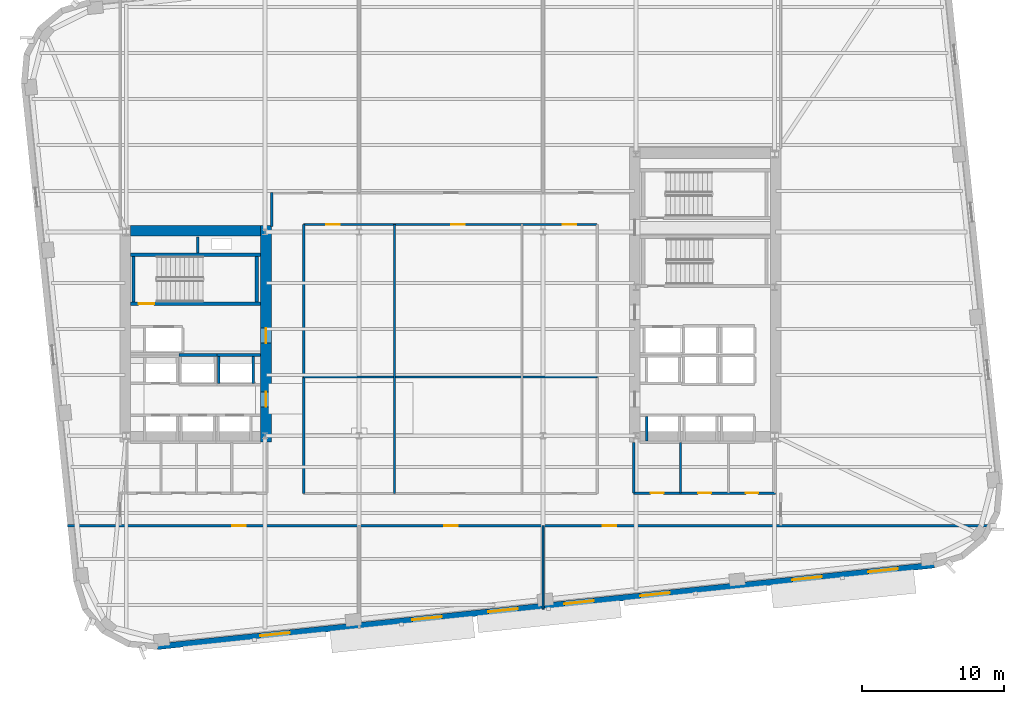
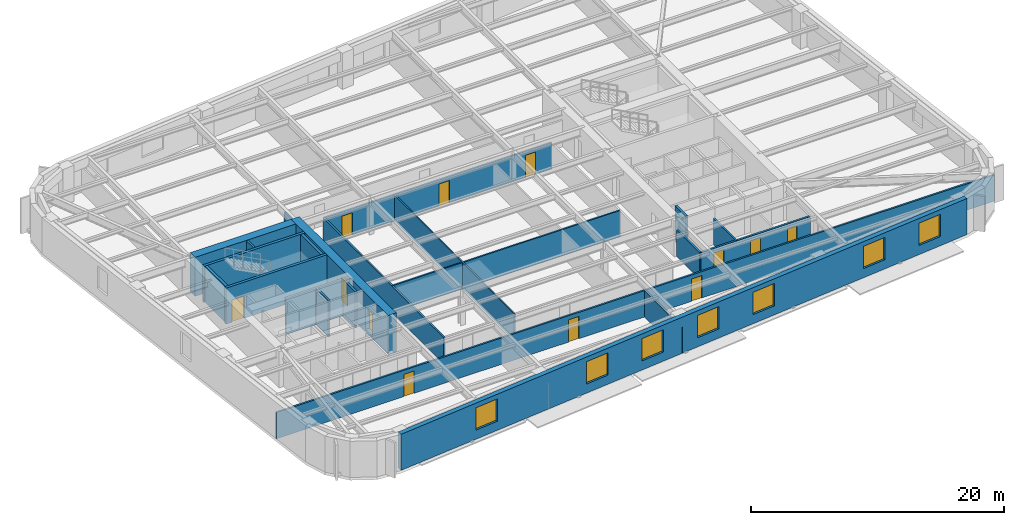
# One storey, part 5 of 14: 23 walls, 12 doors, 7 windows, 19 openings.
"""IFC4 building model written with IfcOpenShell, lengths in metres."""

from ifc_helpers import new_model, si_unit, direction, frame, frame_2d, origin, place, context, subcontext, project, spatial, rectangle, extrude, material, layer, layer_set, type_object, element, fill, save


model = new_model("IFC4")

# Units and contexts
model_context = context("Model", 3, precision=1e-05, world=origin(), true_north=direction((0.0, 1.0)))
body_context = subcontext(model_context, "Body", "Model", "MODEL_VIEW")
ifc_project = project(units=[si_unit("LENGTHUNIT", "METRE"), si_unit("AREAUNIT", "SQUARE_METRE"), si_unit("VOLUMEUNIT", "CUBIC_METRE"), si_unit("PLANEANGLEUNIT", "RADIAN"), si_unit("MASSUNIT", "GRAM", prefix="KILO")], contexts=[model_context])

# Site, building, storey
site_placement = place(None, origin())
site = spatial("IfcSite", under=ifc_project, at=site_placement, CompositionType="ELEMENT")
building_placement = place(site_placement, origin())
building = spatial("IfcBuilding", under=site, at=building_placement, Name="Kolvaren Arena Tower", CompositionType="ELEMENT")
storey_placement = place(building_placement, frame((0.0, 0.0, 130.75)))
storey = spatial("IfcBuildingStorey", under=building, at=storey_placement, Name="L30", CompositionType="ELEMENT", Elevation=130.75)

# Wall, openings, doors
ifc_material_1 = material(Name="Gypsum board acoustic assembly", Category="gypsum")
ifc_layer_1 = layer(ifc_material_1, 0.159912109375)
ifc_layer_set_1 = layer_set([ifc_layer_1], Name="Gypsum board acoustic assembly")
wall_type_1 = type_object("IfcWallType", Name="CORR-160", PredefinedType="PARTITIONING", material=ifc_layer_set_1)
wall_1_placement = place(storey_placement, frame((10.41552734375, 13.10009765625, 0.0), z_axis=(0.0, 0.0, 1.0), x_axis=(1.0, 0.0, 0.0)))
wall_1 = element("IfcWall", 1, at=wall_1_placement, inside=storey, type_object=wall_type_1, Name="Interior Partition Wall (L30)", PredefinedType="PARTITIONING", context=body_context, shape_type="SweptSolid", body=[
    extrude(rectangle(XDim=65.414794921875, YDim=0.159912109375, at=frame_2d((32.70751953125, 0.0))), origin(), (0.0, 0.0, 1.0), 2.5400390625),
])
opening_1_placement = place(wall_1_placement, frame((11.609619140625, 0.0, 0.0)))
opening_1 = element("IfcOpeningElement", 2, at=opening_1_placement, cuts=wall_1, Name="Opening D05", PredefinedType="OPENING", context=body_context, shape_type="SweptSolid", body=[
    extrude(rectangle(XDim=0.949951171875, YDim=2.14990234375, at=frame_2d((0.47509765625, 1.074951171875))), frame((0.0, 0.08984375, 0.0), z_axis=(0.0, -1.0, 0.0), x_axis=(1.0, 0.0, 0.0)), (0.0, 0.0, 1.0), 0.179931640625),
])
opening_2_placement = place(wall_1_placement, frame((26.609619140625, 0.0, 0.0)))
opening_2 = element("IfcOpeningElement", 3, at=opening_2_placement, cuts=wall_1, Name="Opening D05", PredefinedType="OPENING", context=body_context, shape_type="SweptSolid", body=[
    extrude(rectangle(XDim=0.949951171875, YDim=2.14990234375, at=frame_2d((0.47509765625, 1.074951171875))), frame((0.0, 0.08984375, 0.0), z_axis=(0.0, -1.0, 0.0), x_axis=(1.0, 0.0, 0.0)), (0.0, 0.0, 1.0), 0.179931640625),
])
opening_3_placement = place(wall_1_placement, frame((37.8095703125, 0.0, 0.0)))
opening_3 = element("IfcOpeningElement", 4, at=opening_3_placement, cuts=wall_1, Name="Opening D05", PredefinedType="OPENING", context=body_context, shape_type="SweptSolid", body=[
    extrude(rectangle(XDim=0.949951171875, YDim=2.14990234375, at=frame_2d((0.47509765625, 1.074951171875))), frame((0.0, 0.08984375, 0.0), z_axis=(0.0, -1.0, 0.0), x_axis=(1.0, 0.0, 0.0)), (0.0, 0.0, 1.0), 0.179931640625),
])
ifc_material_2 = material(Name="Solid-core oak acoustic office door", Category="wood")
door_type_1 = type_object("IfcDoorType", Name="DOOR-OF-095", OperationType="NOTDEFINED", PredefinedType="DOOR", material=ifc_material_2)
door_1_placement = place(opening_1_placement, origin())
door_1 = element("IfcDoor", 5, at=door_1_placement, inside=storey, type_object=door_type_1, Name="Executive Office Door (L30)", OperationType="SINGLE_SWING_RIGHT", OverallHeight=2.14990234375, OverallWidth=0.949951171875, PredefinedType="DOOR", context=body_context, shape_type="SweptSolid", body=[
    extrude(rectangle(XDim=0.949951171875, YDim=2.14990234375, at=frame_2d((0.47509765625, 1.074951171875))), frame((0.0, 0.02490234375, 0.0), z_axis=(0.0, -1.0, 0.0), x_axis=(1.0, 0.0, 0.0)), (0.0, 0.0, 1.0), 0.050048828125),
])
fill(opening_1, door_1)
door_2_placement = place(opening_2_placement, origin())
door_2 = element("IfcDoor", 6, at=door_2_placement, inside=storey, type_object=door_type_1, Name="Client Lounge Door (L30)", OperationType="SINGLE_SWING_LEFT", OverallHeight=2.14990234375, OverallWidth=0.949951171875, PredefinedType="DOOR", context=body_context, shape_type="SweptSolid", body=[
    extrude(rectangle(XDim=0.949951171875, YDim=2.14990234375, at=frame_2d((0.47509765625, 1.074951171875))), frame((0.0, 0.02490234375, 0.0), z_axis=(0.0, -1.0, 0.0), x_axis=(1.0, 0.0, 0.0)), (0.0, 0.0, 1.0), 0.050048828125),
])
fill(opening_2, door_2)
door_3_placement = place(opening_3_placement, origin())
door_3 = element("IfcDoor", 7, at=door_3_placement, inside=storey, type_object=door_type_1, Name="Collaborative Work Studio Door (L30)", OperationType="SINGLE_SWING_RIGHT", OverallHeight=2.14990234375, OverallWidth=0.949951171875, PredefinedType="DOOR", context=body_context, shape_type="SweptSolid", body=[
    extrude(rectangle(XDim=0.949951171875, YDim=2.14990234375, at=frame_2d((0.47509765625, 1.074951171875))), frame((0.0, 0.02490234375, 0.0), z_axis=(0.0, -1.0, 0.0), x_axis=(1.0, 0.0, 0.0)), (0.0, 0.0, 1.0), 0.050048828125),
])
fill(opening_3, door_3)

# Wall
wall_2_placement = place(storey_placement, frame((24.820068359375, 34.25, 0.0), z_axis=(0.0, 0.0, 1.0), x_axis=(0.0, 1.0, 0.0)))
element("IfcWall", 8, at=wall_2_placement, inside=storey, type_object=wall_type_1, Name="Interior Partition Wall (L30)", PredefinedType="PARTITIONING", context=body_context, shape_type="SweptSolid", body=[
    extrude(rectangle(XDim=2.3701171875, YDim=0.159912109375, at=frame_2d((1.18505859375, 0.0))), origin(), (0.0, 0.0, 1.0), 2.5400390625),
])

# Wall, openings, doors
wall_3_placement = place(storey_placement, frame((27.080078125, 34.3798828125, 0.0), z_axis=(0.0, 0.0, 1.0), x_axis=(1.0, 0.0, 0.0)))
wall_3 = element("IfcWall", 9, at=wall_3_placement, inside=storey, type_object=wall_type_1, Name="Interior Partition Wall (L30)", PredefinedType="PARTITIONING", context=body_context, shape_type="SweptSolid", body=[
    extrude(rectangle(XDim=20.739990234375, YDim=0.159912109375, at=frame_2d((10.3701171875, 0.0))), origin(), (0.0, 0.0, 1.0), 2.5400390625),
])
opening_4_placement = place(wall_3_placement, frame((1.594970703125, 0.0, 0.0)))
opening_4 = element("IfcOpeningElement", 10, at=opening_4_placement, cuts=wall_3, Name="Opening D05", PredefinedType="OPENING", context=body_context, shape_type="SweptSolid", body=[
    extrude(rectangle(XDim=0.949951171875, YDim=2.14990234375, at=frame_2d((0.47509765625, 1.074951171875))), frame((0.0, 0.08984375, 0.0), z_axis=(0.0, -1.0, 0.0), x_axis=(1.0, 0.0, 0.0)), (0.0, 0.0, 1.0), 0.179931640625),
])
opening_5_placement = place(wall_3_placement, frame((10.445068359375, 0.0, 0.0)))
opening_5 = element("IfcOpeningElement", 11, at=opening_5_placement, cuts=wall_3, Name="Opening D05", PredefinedType="OPENING", context=body_context, shape_type="SweptSolid", body=[
    extrude(rectangle(XDim=0.949951171875, YDim=2.14990234375, at=frame_2d((0.47509765625, 1.074951171875))), frame((0.0, 0.08984375, 0.0), z_axis=(0.0, -1.0, 0.0), x_axis=(1.0, 0.0, 0.0)), (0.0, 0.0, 1.0), 0.179931640625),
])
opening_6_placement = place(wall_3_placement, frame((18.294921875, 0.0, 0.0)))
opening_6 = element("IfcOpeningElement", 12, at=opening_6_placement, cuts=wall_3, Name="Opening D05", PredefinedType="OPENING", context=body_context, shape_type="SweptSolid", body=[
    extrude(rectangle(XDim=0.949951171875, YDim=2.14990234375, at=frame_2d((0.47509765625, 1.074951171875))), frame((0.0, 0.08984375, 0.0), z_axis=(0.0, -1.0, 0.0), x_axis=(1.0, 0.0, 0.0)), (0.0, 0.0, 1.0), 0.179931640625),
])
door_4_placement = place(opening_4_placement, origin())
door_4 = element("IfcDoor", 13, at=door_4_placement, inside=storey, type_object=door_type_1, Name="Executive Office Door (L30)", OperationType="SINGLE_SWING_RIGHT", OverallHeight=2.14990234375, OverallWidth=0.949951171875, PredefinedType="DOOR", context=body_context, shape_type="SweptSolid", body=[
    extrude(rectangle(XDim=0.949951171875, YDim=2.14990234375, at=frame_2d((0.47509765625, 1.074951171875))), frame((0.0, 0.02490234375, 0.0), z_axis=(0.0, -1.0, 0.0), x_axis=(1.0, 0.0, 0.0)), (0.0, 0.0, 1.0), 0.050048828125),
])
fill(opening_4, door_4)
door_5_placement = place(opening_5_placement, origin())
door_5 = element("IfcDoor", 14, at=door_5_placement, inside=storey, type_object=door_type_1, Name="Meeting Room Door (L30)", OperationType="SINGLE_SWING_RIGHT", OverallHeight=2.14990234375, OverallWidth=0.949951171875, PredefinedType="DOOR", context=body_context, shape_type="SweptSolid", body=[
    extrude(rectangle(XDim=0.949951171875, YDim=2.14990234375, at=frame_2d((0.47509765625, 1.074951171875))), frame((0.0, 0.02490234375, 0.0), z_axis=(0.0, -1.0, 0.0), x_axis=(1.0, 0.0, 0.0)), (0.0, 0.0, 1.0), 0.050048828125),
])
fill(opening_5, door_5)
door_6_placement = place(opening_6_placement, origin())
door_6 = element("IfcDoor", 15, at=door_6_placement, inside=storey, type_object=door_type_1, Name="Boardroom Door (L30)", OperationType="SINGLE_SWING_RIGHT", OverallHeight=2.14990234375, OverallWidth=0.949951171875, PredefinedType="DOOR", context=body_context, shape_type="SweptSolid", body=[
    extrude(rectangle(XDim=0.949951171875, YDim=2.14990234375, at=frame_2d((0.47509765625, 1.074951171875))), frame((0.0, 0.02490234375, 0.0), z_axis=(0.0, -1.0, 0.0), x_axis=(1.0, 0.0, 0.0)), (0.0, 0.0, 1.0), 0.050048828125),
])
fill(opening_6, door_6)

# Wall
wall_4_placement = place(storey_placement, frame((27.080078125, 15.3798828125, 0.0), z_axis=(0.0, 0.0, 1.0), x_axis=(0.0, 1.0, 0.0)))
element("IfcWall", 16, at=wall_4_placement, inside=storey, type_object=wall_type_1, Name="Interior Partition Wall (L30)", PredefinedType="PARTITIONING", context=body_context, shape_type="SweptSolid", body=[
    extrude(rectangle(XDim=19.0, YDim=0.159912109375, at=frame_2d((9.5, 0.0))), origin(), (0.0, 0.0, 1.0), 2.5400390625),
])

# Wall, openings, doors
ifc_material_3 = material(Name="Concrete 70 MPa", Category="concrete")
ifc_layer_2 = layer(ifc_material_3, 0.75)
ifc_layer_set_2 = layer_set([ifc_layer_2], Name="Concrete 70 MPa")
wall_type_2 = type_object("IfcWallType", Name="CWALL-750", PredefinedType="SHEAR", material=ifc_layer_set_2)
wall_5_placement = place(storey_placement, frame((24.425048828125, 19.0, -0.27001953125), z_axis=(0.0, 0.0, 1.0), x_axis=(0.0, 1.0, 0.0)))
wall_5 = element("IfcWall", 17, at=wall_5_placement, inside=storey, type_object=wall_type_2, Name="Core Shear Wall WC-EAST (L30)", PredefinedType="SHEAR", context=body_context, shape_type="SweptSolid", body=[
    extrude(rectangle(XDim=15.300048828125, YDim=0.75, at=frame_2d((7.64990234375, 0.0))), origin(), (0.0, 0.0, 1.0), 3.75),
])
opening_7_placement = place(wall_5_placement, frame((2.5, 0.0, 0.27001953125)))
opening_7 = element("IfcOpeningElement", 18, at=opening_7_placement, cuts=wall_5, Name="Opening D04", PredefinedType="OPENING", context=body_context, shape_type="SweptSolid", body=[
    extrude(rectangle(XDim=1.050048828125, YDim=2.14990234375, at=frame_2d((0.52490234375, 1.074951171875))), frame((0.0, 0.385009765625, 0.0), z_axis=(0.0, -1.0, 0.0), x_axis=(1.0, 0.0, 0.0)), (0.0, 0.0, 1.0), 0.77001953125),
])
opening_8_placement = place(wall_5_placement, frame((7.0, 0.0, 0.27001953125)))
opening_8 = element("IfcOpeningElement", 19, at=opening_8_placement, cuts=wall_5, Name="Opening D04", PredefinedType="OPENING", context=body_context, shape_type="SweptSolid", body=[
    extrude(rectangle(XDim=1.050048828125, YDim=2.14990234375, at=frame_2d((0.52490234375, 1.074951171875))), frame((0.0, 0.385009765625, 0.0), z_axis=(0.0, -1.0, 0.0), x_axis=(1.0, 0.0, 0.0)), (0.0, 0.0, 1.0), 0.77001953125),
])
ifc_material_4 = material(Name="Fire-rated steel lobby door", Category="steel")
door_type_2 = type_object("IfcDoorType", Name="DOOR-FF-105", OperationType="NOTDEFINED", PredefinedType="DOOR", material=ifc_material_4)
door_7_placement = place(opening_7_placement, origin())
door_7 = element("IfcDoor", 20, at=door_7_placement, inside=storey, type_object=door_type_2, Name="West Lift Lobby Fire Door (L30)", OperationType="SINGLE_SWING_LEFT", OverallHeight=2.14990234375, OverallWidth=1.050048828125, PredefinedType="DOOR", context=body_context, shape_type="SweptSolid", body=[
    extrude(rectangle(XDim=1.050048828125, YDim=2.14990234375, at=frame_2d((0.52490234375, 1.074951171875))), frame((0.0, 0.02490234375, 0.0), z_axis=(0.0, -1.0, 0.0), x_axis=(1.0, 0.0, 0.0)), (0.0, 0.0, 1.0), 0.050048828125),
])
fill(opening_7, door_7)
door_8_placement = place(opening_8_placement, origin())
door_8 = element("IfcDoor", 21, at=door_8_placement, inside=storey, type_object=door_type_2, Name="West Firefighter Vestibule Door (L30)", OperationType="SINGLE_SWING_RIGHT", OverallHeight=2.14990234375, OverallWidth=1.050048828125, PredefinedType="DOOR", context=body_context, shape_type="SweptSolid", body=[
    extrude(rectangle(XDim=1.050048828125, YDim=2.14990234375, at=frame_2d((0.52490234375, 1.074951171875))), frame((0.0, 0.02490234375, 0.0), z_axis=(0.0, -1.0, 0.0), x_axis=(1.0, 0.0, 0.0)), (0.0, 0.0, 1.0), 0.050048828125),
])
fill(opening_8, door_8)

# Wall
wall_6_placement = place(storey_placement, frame((14.85009765625, 33.925048828125, -0.27001953125), z_axis=(0.0, 0.0, 1.0), x_axis=(1.0, 0.0, 0.0)))
element("IfcWall", 22, at=wall_6_placement, inside=storey, type_object=wall_type_2, Name="Core Shear Wall WC-NORTH (L30)", PredefinedType="SHEAR", context=body_context, shape_type="SweptSolid", body=[
    extrude(rectangle(XDim=9.199951171875, YDim=0.75, at=frame_2d((4.60009765625, 0.0))), origin(), (0.0, 0.0, 1.0), 3.75),
])

# Wall, openings, windows
ifc_material_5 = material(Name="Precast concrete C50/60", Category="concrete")
ifc_layer_3 = layer(ifc_material_5, 0.419921875)
ifc_layer_set_3 = layer_set([ifc_layer_3], Name="Precast concrete C50/60")
wall_type_3 = type_object("IfcWallType", Name="EXT-PIER1", PredefinedType="SOLIDWALL", material=ifc_layer_set_3)
wall_7_placement = place(storey_placement, frame((71.641357421875, 10.3203125, 0.0), z_axis=(0.0, 0.0, 1.0), x_axis=(-0.994521775062, -0.104529607897, 0.0)))
wall_7 = element("IfcWall", 23, at=wall_7_placement, inside=storey, type_object=wall_type_3, Name="Exterior Precast Masonry-Frame Wall (L30)", PredefinedType="SOLIDWALL", context=body_context, shape_type="SweptSolid", body=[
    extrude(rectangle(XDim=55.199951171875, YDim=0.419921875, at=frame_2d((27.60009765625, 0.0))), origin(), (0.0, 0.0, 1.0), 3.47998046875),
])
opening_9_placement = place(wall_7_placement, frame((2.60009765625, 0.0, 0.8798828125)))
opening_9 = element("IfcOpeningElement", 24, at=opening_9_placement, cuts=wall_7, Name="Opening W01", PredefinedType="OPENING", context=body_context, shape_type="SweptSolid", body=[
    extrude(rectangle(XDim=2.10009765625, YDim=2.14990234375, at=frame_2d((1.050048828125, 1.074951171875))), frame((0.0, 0.219970703125, 0.0), z_axis=(0.0, -1.0, 0.0), x_axis=(1.0, 0.0, 0.0)), (0.0, 0.0, 1.0), 0.43994140625),
])
opening_10_placement = place(wall_7_placement, frame((8.0, 0.0, 0.8798828125)))
opening_10 = element("IfcOpeningElement", 25, at=opening_10_placement, cuts=wall_7, Name="Opening W01", PredefinedType="OPENING", context=body_context, shape_type="SweptSolid", body=[
    extrude(rectangle(XDim=2.10009765625, YDim=2.14990234375, at=frame_2d((1.050048828125, 1.074951171875))), frame((0.0, 0.219970703125, 0.0), z_axis=(0.0, -1.0, 0.0), x_axis=(1.0, 0.0, 0.0)), (0.0, 0.0, 1.0), 0.43994140625),
])
opening_11_placement = place(wall_7_placement, frame((18.800048828125, 0.0, 0.8798828125)))
opening_11 = element("IfcOpeningElement", 26, at=opening_11_placement, cuts=wall_7, Name="Opening W01", PredefinedType="OPENING", context=body_context, shape_type="SweptSolid", body=[
    extrude(rectangle(XDim=2.10009765625, YDim=2.14990234375, at=frame_2d((1.050048828125, 1.074951171875))), frame((0.0, 0.219970703125, 0.0), z_axis=(0.0, -1.0, 0.0), x_axis=(1.0, 0.0, 0.0)), (0.0, 0.0, 1.0), 0.43994140625),
])
opening_12_placement = place(wall_7_placement, frame((24.199951171875, 0.0, 0.8798828125)))
opening_12 = element("IfcOpeningElement", 27, at=opening_12_placement, cuts=wall_7, Name="Opening W01", PredefinedType="OPENING", context=body_context, shape_type="SweptSolid", body=[
    extrude(rectangle(XDim=2.10009765625, YDim=2.14990234375, at=frame_2d((1.050048828125, 1.074951171875))), frame((0.0, 0.219970703125, 0.0), z_axis=(0.0, -1.0, 0.0), x_axis=(1.0, 0.0, 0.0)), (0.0, 0.0, 1.0), 0.43994140625),
])
opening_13_placement = place(wall_7_placement, frame((29.60009765625, 0.0, 0.8798828125)))
opening_13 = element("IfcOpeningElement", 28, at=opening_13_placement, cuts=wall_7, Name="Opening W01", PredefinedType="OPENING", context=body_context, shape_type="SweptSolid", body=[
    extrude(rectangle(XDim=2.10009765625, YDim=2.14990234375, at=frame_2d((1.050048828125, 1.074951171875))), frame((0.0, 0.219970703125, 0.0), z_axis=(0.0, -1.0, 0.0), x_axis=(1.0, 0.0, 0.0)), (0.0, 0.0, 1.0), 0.43994140625),
])
opening_14_placement = place(wall_7_placement, frame((35.0, 0.0, 0.8798828125)))
opening_14 = element("IfcOpeningElement", 29, at=opening_14_placement, cuts=wall_7, Name="Opening W01", PredefinedType="OPENING", context=body_context, shape_type="SweptSolid", body=[
    extrude(rectangle(XDim=2.10009765625, YDim=2.14990234375, at=frame_2d((1.050048828125, 1.074951171875))), frame((0.0, 0.219970703125, 0.0), z_axis=(0.0, -1.0, 0.0), x_axis=(1.0, 0.0, 0.0)), (0.0, 0.0, 1.0), 0.43994140625),
])
opening_15_placement = place(wall_7_placement, frame((45.800048828125, 0.0, 0.8798828125)))
opening_15 = element("IfcOpeningElement", 30, at=opening_15_placement, cuts=wall_7, Name="Opening W01", PredefinedType="OPENING", context=body_context, shape_type="SweptSolid", body=[
    extrude(rectangle(XDim=2.10009765625, YDim=2.14990234375, at=frame_2d((1.050048828125, 1.074951171875))), frame((0.0, 0.219970703125, 0.0), z_axis=(0.0, -1.0, 0.0), x_axis=(1.0, 0.0, 0.0)), (0.0, 0.0, 1.0), 0.43994140625),
])
ifc_material_6 = material(Name="Triple-glazed low-E aluminium window", Category="aluminium")
window_type = type_object("IfcWindowType", Name="WIN-OFF-A", PartitioningType="DOUBLE_PANEL_VERTICAL", PredefinedType="WINDOW", material=ifc_material_6)
window_1_placement = place(opening_9_placement, origin())
window_1 = element("IfcWindow", 31, at=window_1_placement, inside=storey, type_object=window_type, Name="Punched Precast-Pier Window (L30)", OverallHeight=2.14990234375, OverallWidth=2.10009765625, PartitioningType="DOUBLE_PANEL_VERTICAL", PredefinedType="WINDOW", context=body_context, shape_type="SweptSolid", body=[
    extrude(rectangle(XDim=2.10009765625, YDim=2.14990234375, at=frame_2d((1.050048828125, 1.074951171875))), frame((0.0, 0.030029296875, 0.0), z_axis=(0.0, -1.0, 0.0), x_axis=(1.0, 0.0, 0.0)), (0.0, 0.0, 1.0), 0.06005859375),
])
fill(opening_9, window_1)
window_2_placement = place(opening_10_placement, origin())
window_2 = element("IfcWindow", 32, at=window_2_placement, inside=storey, type_object=window_type, Name="Punched Precast-Pier Window (L30)", OverallHeight=2.14990234375, OverallWidth=2.10009765625, PartitioningType="DOUBLE_PANEL_VERTICAL", PredefinedType="WINDOW", context=body_context, shape_type="SweptSolid", body=[
    extrude(rectangle(XDim=2.10009765625, YDim=2.14990234375, at=frame_2d((1.050048828125, 1.074951171875))), frame((0.0, 0.030029296875, 0.0), z_axis=(0.0, -1.0, 0.0), x_axis=(1.0, 0.0, 0.0)), (0.0, 0.0, 1.0), 0.06005859375),
])
fill(opening_10, window_2)
window_3_placement = place(opening_11_placement, origin())
window_3 = element("IfcWindow", 33, at=window_3_placement, inside=storey, type_object=window_type, Name="Punched Precast-Pier Window (L30)", OverallHeight=2.14990234375, OverallWidth=2.10009765625, PartitioningType="DOUBLE_PANEL_VERTICAL", PredefinedType="WINDOW", context=body_context, shape_type="SweptSolid", body=[
    extrude(rectangle(XDim=2.10009765625, YDim=2.14990234375, at=frame_2d((1.050048828125, 1.074951171875))), frame((0.0, 0.030029296875, 0.0), z_axis=(0.0, -1.0, 0.0), x_axis=(1.0, 0.0, 0.0)), (0.0, 0.0, 1.0), 0.06005859375),
])
fill(opening_11, window_3)
window_4_placement = place(opening_12_placement, origin())
window_4 = element("IfcWindow", 34, at=window_4_placement, inside=storey, type_object=window_type, Name="Punched Precast-Pier Window (L30)", OverallHeight=2.14990234375, OverallWidth=2.10009765625, PartitioningType="DOUBLE_PANEL_VERTICAL", PredefinedType="WINDOW", context=body_context, shape_type="SweptSolid", body=[
    extrude(rectangle(XDim=2.10009765625, YDim=2.14990234375, at=frame_2d((1.050048828125, 1.074951171875))), frame((0.0, 0.030029296875, 0.0), z_axis=(0.0, -1.0, 0.0), x_axis=(1.0, 0.0, 0.0)), (0.0, 0.0, 1.0), 0.06005859375),
])
fill(opening_12, window_4)
window_5_placement = place(opening_13_placement, origin())
window_5 = element("IfcWindow", 35, at=window_5_placement, inside=storey, type_object=window_type, Name="Punched Precast-Pier Window (L30)", OverallHeight=2.14990234375, OverallWidth=2.10009765625, PartitioningType="DOUBLE_PANEL_VERTICAL", PredefinedType="WINDOW", context=body_context, shape_type="SweptSolid", body=[
    extrude(rectangle(XDim=2.10009765625, YDim=2.14990234375, at=frame_2d((1.050048828125, 1.074951171875))), frame((0.0, 0.030029296875, 0.0), z_axis=(0.0, -1.0, 0.0), x_axis=(1.0, 0.0, 0.0)), (0.0, 0.0, 1.0), 0.06005859375),
])
fill(opening_13, window_5)
window_6_placement = place(opening_14_placement, origin())
window_6 = element("IfcWindow", 36, at=window_6_placement, inside=storey, type_object=window_type, Name="Punched Precast-Pier Window (L30)", OverallHeight=2.14990234375, OverallWidth=2.10009765625, PartitioningType="DOUBLE_PANEL_VERTICAL", PredefinedType="WINDOW", context=body_context, shape_type="SweptSolid", body=[
    extrude(rectangle(XDim=2.10009765625, YDim=2.14990234375, at=frame_2d((1.050048828125, 1.074951171875))), frame((0.0, 0.030029296875, 0.0), z_axis=(0.0, -1.0, 0.0), x_axis=(1.0, 0.0, 0.0)), (0.0, 0.0, 1.0), 0.06005859375),
])
fill(opening_14, window_6)
window_7_placement = place(opening_15_placement, origin())
window_7 = element("IfcWindow", 37, at=window_7_placement, inside=storey, type_object=window_type, Name="Punched Precast-Pier Window (L30)", OverallHeight=2.14990234375, OverallWidth=2.10009765625, PartitioningType="DOUBLE_PANEL_VERTICAL", PredefinedType="WINDOW", context=body_context, shape_type="SweptSolid", body=[
    extrude(rectangle(XDim=2.10009765625, YDim=2.14990234375, at=frame_2d((1.050048828125, 1.074951171875))), frame((0.0, 0.030029296875, 0.0), z_axis=(0.0, -1.0, 0.0), x_axis=(1.0, 0.0, 0.0)), (0.0, 0.0, 1.0), 0.06005859375),
])
fill(opening_15, window_7)

# Walls
ifc_material_7 = material(Name="Gypsum board partition assembly", Category="gypsum")
ifc_layer_4 = layer(ifc_material_7, 0.114990234375)
ifc_layer_set_4 = layer_set([ifc_layer_4], Name="Gypsum board partition assembly")
wall_type_4 = type_object("IfcWallType", Name="PART-115", PredefinedType="PARTITIONING", material=ifc_layer_set_4)
wall_8_placement = place(storey_placement, frame((33.5, 15.3798828125, 0.0), z_axis=(0.0, 0.0, 1.0), x_axis=(0.0, 1.0, 0.0)))
element("IfcWall", 38, at=wall_8_placement, inside=storey, type_object=wall_type_4, Name="Interior Partition Wall (L30)", PredefinedType="PARTITIONING", context=body_context, shape_type="SweptSolid", body=[
    extrude(rectangle(XDim=19.0, YDim=0.114990234375, at=frame_2d((9.5, 0.0))), origin(), (0.0, 0.0, 1.0), 2.5400390625),
])
ifc_layer_5 = layer(ifc_material_7, 0.135009765625)
ifc_layer_set_5 = layer_set([ifc_layer_5], Name="Gypsum board partition assembly")
wall_type_5 = type_object("IfcWallType", Name="PART-135", PredefinedType="PARTITIONING", material=ifc_layer_set_5)
wall_9_placement = place(storey_placement, frame((44.0, 7.2041015625, 0.0), z_axis=(0.0, 0.0, 1.0), x_axis=(0.0, 1.0, 0.0)))
element("IfcWall", 39, at=wall_9_placement, inside=storey, type_object=wall_type_5, Name="Interior Partition Wall (L30)", PredefinedType="PARTITIONING", context=body_context, shape_type="SweptSolid", body=[
    extrude(rectangle(XDim=5.89599609375, YDim=0.135009765625, at=frame_2d((2.947998046875, 0.0))), origin(), (0.0, 0.0, 1.0), 2.5400390625),
])
wall_10_placement = place(storey_placement, frame((27.080078125, 23.60009765625, 0.0), z_axis=(0.0, 0.0, 1.0), x_axis=(1.0, 0.0, 0.0)))
element("IfcWall", 40, at=wall_10_placement, inside=storey, type_object=wall_type_5, Name="Interior Partition Wall (L30)", PredefinedType="PARTITIONING", context=body_context, shape_type="SweptSolid", body=[
    extrude(rectangle(XDim=20.739990234375, YDim=0.135009765625, at=frame_2d((10.3701171875, 0.0))), origin(), (0.0, 0.0, 1.0), 2.5400390625),
])

# Wall, opening, door
ifc_material_8 = material(Name="Concrete 45 MPa", Category="concrete")
ifc_layer_6 = layer(ifc_material_8, 0.25)
ifc_layer_set_6 = layer_set([ifc_layer_6], Name="Concrete 45 MPa")
wall_type_6 = type_object("IfcWallType", Name="SHAFT-250", PredefinedType="SOLIDWALL", material=ifc_layer_set_6)
wall_11_placement = place(storey_placement, frame((24.050048828125, 28.780029296875, 0.0), z_axis=(0.0, 0.0, 1.0), x_axis=(-1.0, 0.0, 0.0)))
wall_11 = element("IfcWall", 41, at=wall_11_placement, inside=storey, type_object=wall_type_6, Name="Core Shaft Wall (L30)", PredefinedType="SOLIDWALL", context=body_context, shape_type="SweptSolid", body=[
    extrude(rectangle(XDim=9.199951171875, YDim=0.239990234375, at=frame_2d((4.60009765625, 0.0))), origin(), (0.0, 0.0, 1.0), 3.47998046875),
])
opening_16_placement = place(wall_11_placement, frame((7.530029296875, 0.0, 0.0)))
opening_16 = element("IfcOpeningElement", 42, at=opening_16_placement, cuts=wall_11, Name="Opening D03", PredefinedType="OPENING", context=body_context, shape_type="SweptSolid", body=[
    extrude(rectangle(XDim=1.10009765625, YDim=2.14990234375, at=frame_2d((0.550048828125, 1.074951171875))), frame((0.0, 0.1298828125, 0.0), z_axis=(0.0, -1.0, 0.0), x_axis=(1.0, 0.0, 0.0)), (0.0, 0.0, 1.0), 0.260009765625),
])
ifc_material_9 = material(Name="Fire-rated steel exit stair door", Category="steel")
door_type_3 = type_object("IfcDoorType", Name="DOOR-ST-110", OperationType="NOTDEFINED", PredefinedType="DOOR", material=ifc_material_9)
door_9_placement = place(opening_16_placement, origin())
door_9 = element("IfcDoor", 43, at=door_9_placement, inside=storey, type_object=door_type_3, Name="Stair ST-W1 Fire Door (L30)", OperationType="SINGLE_SWING_RIGHT", OverallHeight=2.14990234375, OverallWidth=1.10009765625, PredefinedType="DOOR", context=body_context, shape_type="SweptSolid", body=[
    extrude(rectangle(XDim=1.10009765625, YDim=2.14990234375, at=frame_2d((0.550048828125, 1.074951171875))), frame((0.0, 0.02490234375, 0.0), z_axis=(0.0, -1.0, 0.0), x_axis=(1.0, 0.0, 0.0)), (0.0, 0.0, 1.0), 0.050048828125),
])
fill(opening_16, door_9)

# Walls
wall_12_placement = place(storey_placement, frame((14.85009765625, 32.25, 0.0), z_axis=(0.0, 0.0, 1.0), x_axis=(1.0, 0.0, 0.0)))
element("IfcWall", 44, at=wall_12_placement, inside=storey, type_object=wall_type_6, Name="Core Shaft Wall (L30)", PredefinedType="SOLIDWALL", context=body_context, shape_type="SweptSolid", body=[
    extrude(rectangle(XDim=9.199951171875, YDim=0.239990234375, at=frame_2d((4.60009765625, 0.0))), origin(), (0.0, 0.0, 1.0), 3.47998046875),
])
for number, where, z_axis, x_axis, name in (
    (45, (15.06005859375, 28.89990234375, 0.0), (0.0, 0.0, 1.0), (0.0, 1.0, 0.0), "Core Shaft Wall (L30)"),
    (46, (23.780029296875, 28.89990234375, 0.0), (0.0, 0.0, 1.0), (0.0, 1.0, 0.0), "Core Shaft Wall (L30)"),
):
    element("IfcWall", number, at=place(storey_placement, frame(where, z_axis=z_axis, x_axis=x_axis)), inside=storey, type_object=wall_type_6, Name=name, PredefinedType="SOLIDWALL", context=body_context, shape_type="SweptSolid", body=[
        extrude(rectangle(XDim=3.22998046875, YDim=0.239990234375, at=frame_2d((1.614990234375, 0.0))), origin(), (0.0, 0.0, 1.0), 3.47998046875),
    ])
wall_13_placement = place(storey_placement, frame((19.60009765625, 32.3701171875, 0.0), z_axis=(0.0, 0.0, 1.0), x_axis=(0.0, 1.0, 0.0)))
element("IfcWall", 47, at=wall_13_placement, inside=storey, type_object=wall_type_6, Name="Core Shaft Wall (L30)", PredefinedType="SOLIDWALL", context=body_context, shape_type="SweptSolid", body=[
    extrude(rectangle(XDim=1.1298828125, YDim=0.199951171875, at=frame_2d((0.56494140625, 0.0))), origin(), (0.0, 0.0, 1.0), 3.47998046875),
])
wall_14_placement = place(storey_placement, frame((51.304931640625, 19.0849609375, 0.0), z_axis=(0.0, 0.0, 1.0), x_axis=(0.0, 1.0, 0.0)))
element("IfcWall", 48, at=wall_14_placement, inside=storey, type_object=wall_type_6, Name="Core Shaft Wall (L30)", PredefinedType="SOLIDWALL", context=body_context, shape_type="SweptSolid", body=[
    extrude(rectangle(XDim=1.72998046875, YDim=0.179931640625, at=frame_2d((0.864990234375, 0.0))), origin(), (0.0, 0.0, 1.0), 3.47998046875),
])
wall_15_placement = place(storey_placement, frame((18.262451171875, 25.155029296875, 0.0), z_axis=(0.0, 0.0, 1.0), x_axis=(1.0, 0.0, 0.0)))
element("IfcWall", 49, at=wall_15_placement, inside=storey, type_object=wall_type_6, Name="Core Shaft Wall (L30)", PredefinedType="SOLIDWALL", context=body_context, shape_type="SweptSolid", body=[
    extrude(rectangle(XDim=2.6875, YDim=0.179931640625, at=frame_2d((1.34375, 0.0))), origin(), (0.0, 0.0, 1.0), 3.47998046875),
])
wall_16_placement = place(storey_placement, frame((20.949951171875, 25.155029296875, 0.0), z_axis=(0.0, 0.0, 1.0), x_axis=(1.0, 0.0, 0.0)))
element("IfcWall", 50, at=wall_16_placement, inside=storey, type_object=wall_type_6, Name="Core Shaft Wall (L30)", PredefinedType="SOLIDWALL", context=body_context, shape_type="SweptSolid", body=[
    extrude(rectangle(XDim=3.10009765625, YDim=0.179931640625, at=frame_2d((1.550048828125, 0.0))), origin(), (0.0, 0.0, 1.0), 3.47998046875),
])
for number, where, z_axis, x_axis, name in (
    (51, (21.070068359375, 23.135009765625, 0.0), (0.0, 0.0, 1.0), (0.0, 1.0, 0.0), "Core Shaft Wall (L30)"),
    (52, (23.530029296875, 23.135009765625, 0.0), (0.0, 0.0, 1.0), (0.0, 1.0, 0.0), "Core Shaft Wall (L30)"),
):
    element("IfcWall", number, at=place(storey_placement, frame(where, z_axis=z_axis, x_axis=x_axis)), inside=storey, type_object=wall_type_6, Name=name, PredefinedType="SOLIDWALL", context=body_context, shape_type="SweptSolid", body=[
        extrude(rectangle(XDim=1.929931640625, YDim=0.179931640625, at=frame_2d((0.96484375, 0.0))), origin(), (0.0, 0.0, 1.0), 3.47998046875),
    ])

# Wall, openings, doors
wall_17_placement = place(storey_placement, frame((50.39990234375, 15.39990234375, 0.0), z_axis=(0.0, 0.0, 1.0), x_axis=(1.0, 0.0, 0.0)))
wall_17 = element("IfcWall", 53, at=wall_17_placement, inside=storey, type_object=wall_type_6, Name="Interior Partition Wall (L30)", PredefinedType="SOLIDWALL", context=body_context, shape_type="SweptSolid", body=[
    extrude(rectangle(XDim=10.0, YDim=0.179931640625, at=frame_2d((5.0, 0.0))), origin(), (0.0, 0.0, 1.0), 2.5400390625),
])
opening_17_placement = place(wall_17_placement, frame((1.18994140625, 0.0, 0.0)))
opening_17 = element("IfcOpeningElement", 54, at=opening_17_placement, cuts=wall_17, Name="Opening D07", PredefinedType="OPENING", context=body_context, shape_type="SweptSolid", body=[
    extrude(rectangle(XDim=0.919921875, YDim=2.10009765625, at=frame_2d((0.4599609375, 1.050048828125))), frame((0.0, 0.099853515625, 0.0), z_axis=(0.0, -1.0, 0.0), x_axis=(1.0, 0.0, 0.0)), (0.0, 0.0, 1.0), 0.199951171875),
])
opening_18_placement = place(wall_17_placement, frame((4.5400390625, 0.0, 0.0)))
opening_18 = element("IfcOpeningElement", 55, at=opening_18_placement, cuts=wall_17, Name="Opening D07", PredefinedType="OPENING", context=body_context, shape_type="SweptSolid", body=[
    extrude(rectangle(XDim=0.919921875, YDim=2.10009765625, at=frame_2d((0.4599609375, 1.050048828125))), frame((0.0, 0.099853515625, 0.0), z_axis=(0.0, -1.0, 0.0), x_axis=(1.0, 0.0, 0.0)), (0.0, 0.0, 1.0), 0.199951171875),
])
opening_19_placement = place(wall_17_placement, frame((7.919921875, 0.0, 0.0)))
opening_19 = element("IfcOpeningElement", 56, at=opening_19_placement, cuts=wall_17, Name="Opening D09", PredefinedType="OPENING", context=body_context, shape_type="SweptSolid", body=[
    extrude(rectangle(XDim=0.860107421875, YDim=2.050048828125, at=frame_2d((0.43017578125, 1.02490234375))), frame((0.0, 0.099853515625, 0.0), z_axis=(0.0, -1.0, 0.0), x_axis=(1.0, 0.0, 0.0)), (0.0, 0.0, 1.0), 0.199951171875),
])
ifc_material_10 = material(Name="Fire-rated steel riser access door", Category="steel")
door_type_4 = type_object("IfcDoorType", Name="DOOR-RS-086", OperationType="NOTDEFINED", PredefinedType="DOOR", material=ifc_material_10)
door_10_placement = place(opening_19_placement, origin())
door_10 = element("IfcDoor", 57, at=door_10_placement, inside=storey, type_object=door_type_4, Name="Mechanical Riser Closet Door (L30)", OperationType="SINGLE_SWING_RIGHT", OverallHeight=2.050048828125, OverallWidth=0.860107421875, PredefinedType="DOOR", context=body_context, shape_type="SweptSolid", body=[
    extrude(rectangle(XDim=0.860107421875, YDim=2.050048828125, at=frame_2d((0.43017578125, 1.02490234375))), frame((0.0, 0.02490234375, 0.0), z_axis=(0.0, -1.0, 0.0), x_axis=(1.0, 0.0, 0.0)), (0.0, 0.0, 1.0), 0.050048828125),
])
fill(opening_19, door_10)
ifc_material_11 = material(Name="Laminate universal washroom door", Category="wood")
door_type_5 = type_object("IfcDoorType", Name="DOOR-WC-092", OperationType="NOTDEFINED", PredefinedType="DOOR", material=ifc_material_11)
door_11_placement = place(opening_17_placement, origin())
door_11 = element("IfcDoor", 58, at=door_11_placement, inside=storey, type_object=door_type_5, Name="Staff Pantry Door (L30)", OperationType="SINGLE_SWING_RIGHT", OverallHeight=2.10009765625, OverallWidth=0.919921875, PredefinedType="DOOR", context=body_context, shape_type="SweptSolid", body=[
    extrude(rectangle(XDim=0.919921875, YDim=2.10009765625, at=frame_2d((0.4599609375, 1.050048828125))), frame((0.0, 0.02490234375, 0.0), z_axis=(0.0, -1.0, 0.0), x_axis=(1.0, 0.0, 0.0)), (0.0, 0.0, 1.0), 0.050048828125),
])
fill(opening_17, door_11)
door_12_placement = place(opening_18_placement, origin())
door_12 = element("IfcDoor", 59, at=door_12_placement, inside=storey, type_object=door_type_5, Name="Gender-Neutral Washroom Door (L30)", OperationType="SINGLE_SWING_LEFT", OverallHeight=2.10009765625, OverallWidth=0.919921875, PredefinedType="DOOR", context=body_context, shape_type="SweptSolid", body=[
    extrude(rectangle(XDim=0.919921875, YDim=2.10009765625, at=frame_2d((0.4599609375, 1.050048828125))), frame((0.0, 0.02490234375, 0.0), z_axis=(0.0, -1.0, 0.0), x_axis=(1.0, 0.0, 0.0)), (0.0, 0.0, 1.0), 0.050048828125),
])
fill(opening_18, door_12)

# Walls
ifc_material_12 = material(Name="Moisture-resistant gypsum assembly", Category="gypsum")
ifc_layer_7 = layer(ifc_material_12, 0.14990234375)
ifc_layer_set_7 = layer_set([ifc_layer_7], Name="Moisture-resistant gypsum assembly")
wall_type_7 = type_object("IfcWallType", Name="WETW-150", PredefinedType="PARTITIONING", material=ifc_layer_set_7)
for number, where, z_axis, x_axis, name in (
    (60, (53.699951171875, 15.39990234375, 0.0), (0.0, 0.0, 1.0), (0.0, 1.0, 0.0), "Interior Partition Wall (L30)"),
    (61, (50.39990234375, 15.39990234375, 0.0), (0.0, 0.0, 1.0), (0.0, 1.0, 0.0), "Interior Partition Wall (L30)"),
):
    element("IfcWall", number, at=place(storey_placement, frame(where, z_axis=z_axis, x_axis=x_axis)), inside=storey, type_object=wall_type_7, Name=name, PredefinedType="PARTITIONING", context=body_context, shape_type="SweptSolid", body=[
        extrude(rectangle(XDim=3.580078125, YDim=0.14990234375, at=frame_2d((1.7900390625, 0.0))), origin(), (0.0, 0.0, 1.0), 2.5400390625),
    ])

save(model, "model.ifc")
